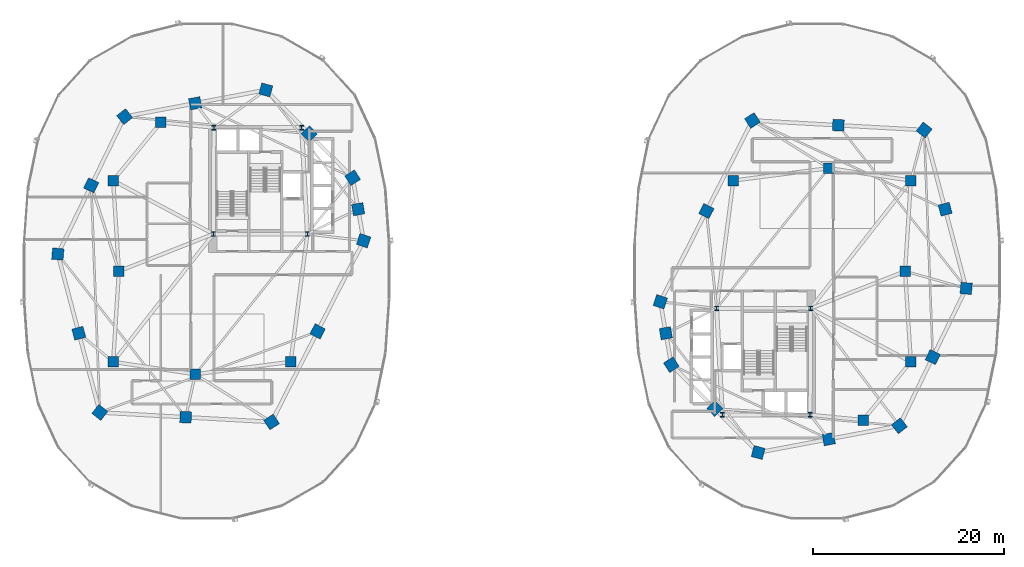
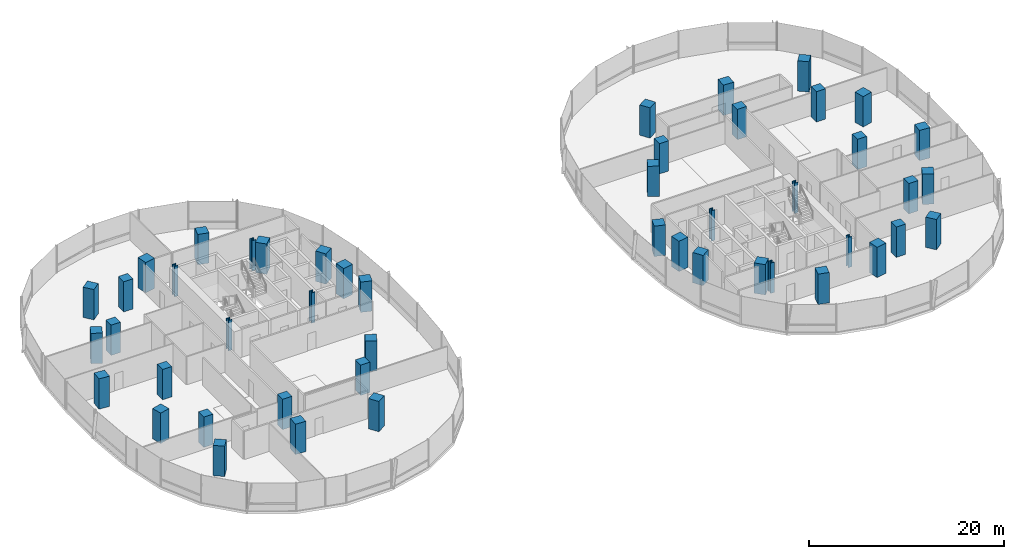
# One storey, part 1 of 21: 48 columns.
"""IFC4 building model written with IfcOpenShell, lengths in metres."""

from ifc_helpers import new_model, si_unit, direction, frame, origin, origin_2d, place, context, subcontext, project, spatial, rectangle, i_section, extrude, material, material_profile, profile_set, type_object, element, save


model = new_model("IFC4")

# Units and contexts
model_context = context("Model", 3, precision=1e-05, world=origin(), true_north=direction((0.0, 1.0)))
body_context = subcontext(model_context, "Body", "Model", "MODEL_VIEW")
ifc_project = project(units=[si_unit("LENGTHUNIT", "METRE"), si_unit("AREAUNIT", "SQUARE_METRE"), si_unit("VOLUMEUNIT", "CUBIC_METRE"), si_unit("PLANEANGLEUNIT", "RADIAN"), si_unit("MASSUNIT", "GRAM", prefix="KILO"), si_unit("THERMODYNAMICTEMPERATUREUNIT", "KELVIN"), si_unit("POWERUNIT", "WATT")], contexts=[model_context])

# Site, building, storey
site_placement = place(None, origin())
site = spatial("IfcSite", under=ifc_project, at=site_placement, CompositionType="ELEMENT")
building_placement = place(site_placement, origin())
building = spatial("IfcBuilding", under=site, at=building_placement, Name="Cundina Bronze Exchange", CompositionType="ELEMENT")
storey_placement = place(building_placement, frame((0.0, 0.0, 46.800048828125)))
storey = spatial("IfcBuildingStorey", under=building, at=storey_placement, Name="L11", CompositionType="ELEMENT", Elevation=46.800048828125)

# Columns
ifc_material_1 = material(Name="Steel ASTM A992 Grade 50", Category="steel")
ifc_material_profile_1 = material_profile(ifc_material_1, i_section(OverallWidth=0.431884765625, OverallDepth=0.498046875, WebThickness=0.0556640625, FlangeThickness=0.0888671875, FilletRadius=0.01806640625, at=origin_2d()), Name="W14X500", Category="steel")
ifc_profile_set_1 = profile_set([ifc_material_profile_1], Name="Steel ASTM A992 Grade 50")
column_type_1 = type_object("IfcColumnType", Name="COL-STL-W14A", PredefinedType="COLUMN", material=ifc_profile_set_1)
for number, where, z_axis, x_axis, name in (
    (1, (-31.300048828125, 3.89990234375, 0.0), (0.0, 0.0, 1.0), (1.0, 0.0, 0.0), "L11 Core Anchor Column W1"),
    (2, (-21.449951171875, 3.89990234375, 0.0), (0.0, 0.0, 1.0), (1.0, 0.0, 0.0), "L11 Core Anchor Column W2"),
    (3, (-22.050048828125, 15.050048828125, 0.0), (0.0, 0.0, 1.0), (1.0, 0.0, 0.0), "L11 Core Anchor Column W3"),
    (4, (-31.25, 15.050048828125, 0.0), (0.0, 0.0, 1.0), (1.0, 0.0, 0.0), "L11 Core Anchor Column W4"),
    (5, (31.300048828125, -3.89990234375, 0.0), (0.0, 0.0, 1.0), (1.0, 0.0, 0.0), "L11 Core Anchor Column E1"),
    (6, (21.449951171875, -3.89990234375, 0.0), (0.0, 0.0, 1.0), (1.0, 0.0, 0.0), "L11 Core Anchor Column E2"),
    (7, (22.050048828125, -15.050048828125, 0.0), (0.0, 0.0, 1.0), (1.0, 0.0, 0.0), "L11 Core Anchor Column E3"),
    (8, (31.25, -15.050048828125, 0.0), (0.0, 0.0, 1.0), (1.0, 0.0, 0.0), "L11 Core Anchor Column E4"),
):
    element("IfcColumn", number, at=place(storey_placement, frame(where, z_axis=z_axis, x_axis=x_axis)), inside=storey, type_object=column_type_1, Name=name, PredefinedType="COLUMN", context=body_context, shape_type="SweptSolid", body=[
        extrude(i_section(OverallWidth=0.431884765625, OverallDepth=0.498046875, WebThickness=0.0556640625, FlangeThickness=0.0888671875, FilletRadius=0.01806640625, at=origin_2d()), origin(), (0.0, 0.0, 1.0), 3.800048828125),
    ])
ifc_material_2 = material(Name="Concrete C60/75", Category="concrete")
ifc_material_profile_2 = material_profile(ifc_material_2, rectangle(XDim=1.199951171875, YDim=1.199951171875, at=origin_2d()), Name="RC1200X1200", Category="concrete")
ifc_profile_set_2 = profile_set([ifc_material_profile_2], Name="Concrete C60/75")
column_type_2 = type_object("IfcColumnType", Name="COL-Z1-1200", PredefinedType="COLUMN", material=ifc_profile_set_2)
for number, where, z_axis, x_axis, name in (
    (9, (-15.550048828125, 3.199951171875, 0.0), (0.0, 0.0, 1.0), (0.315152163383, 0.949041155016, 0.0), "L11 W Perimeter Column 00"),
    (10, (-16.125, 6.5, 0.0), (0.0, 0.0, 1.0), (-0.171585221787, 0.985169280715, 0.0), "L11 W Perimeter Column 01"),
    (11, (-16.699951171875, 9.800048828125, 0.0), (0.0, 0.0, 1.0), (-0.544199833495, 0.838955625301, 0.0), "L11 W Perimeter Column 02"),
    (12, (-21.25, 14.39990234375, 0.0), (0.0, 0.0, 1.0), (-0.703270634186, 0.710922228581, 0.0), "L11 W Perimeter Column 03"),
    (13, (-25.800048828125, 19.0, 0.0), (0.0, 0.0, 1.0), (-0.965970984022, 0.258650455301, 0.0), "L11 W Perimeter Column 04"),
    (14, (-33.199951171875, 17.60009765625, 0.0), (0.0, 0.0, 1.0), (-0.98258037664, -0.185838110843, 0.0), "L11 W Perimeter Column 05"),
    (15, (-40.60009765625, 16.199951171875, 0.0), (0.0, 0.0, 1.0), (-0.785100778485, -0.619368038909, 0.0), "L11 W Perimeter Column 06"),
    (16, (-44.10009765625, 9.0, 0.0), (0.0, 0.0, 1.0), (-0.437115766651, -0.899405251566, 0.0), "L11 W Perimeter Column 07"),
    (17, (-47.60009765625, 1.800048828125, 0.0), (0.0, 0.0, 1.0), (-0.083503921245, -0.996507448611, 0.0), "L11 W Perimeter Column 08"),
    (18, (-45.39990234375, -6.5, 0.0), (0.0, 0.0, 1.0), (0.256289373133, -0.966600102017, 0.0), "L11 W Perimeter Column 09"),
    (19, (-43.199951171875, -14.800048828125, 0.0), (0.0, 0.0, 1.0), (0.786288432137, -0.61785961309, 0.0), "L11 W Perimeter Column 10"),
    (20, (-34.199951171875, -15.300048828125, 0.0), (0.0, 0.0, 1.0), (0.998460188734, -0.055472980025, 0.0), "L11 W Perimeter Column 11"),
    (21, (-25.199951171875, -15.800048828125, 0.0), (0.0, 0.0, 1.0), (0.838099763533, 0.545516989988, 0.0), "L11 W Perimeter Column 12"),
    (22, (-20.375, -6.300048828125, 0.0), (0.0, 0.0, 1.0), (0.452901591366, 0.891560513111, 0.0), "L11 W Perimeter Column 13"),
    (23, (15.550048828125, -3.199951171875, 0.0), (0.0, 0.0, 1.0), (-0.315152163383, -0.949041155016, 0.0), "L11 E Perimeter Column 00"),
    (24, (16.125, -6.5, 0.0), (0.0, 0.0, 1.0), (0.171585221787, -0.985169280715, 0.0), "L11 E Perimeter Column 01"),
    (25, (16.699951171875, -9.800048828125, 0.0), (0.0, 0.0, 1.0), (0.544199833495, -0.838955625301, 0.0), "L11 E Perimeter Column 02"),
    (26, (21.25, -14.39990234375, 0.0), (0.0, 0.0, 1.0), (0.703270634186, -0.710922228581, 0.0), "L11 E Perimeter Column 03"),
    (27, (25.800048828125, -19.0, 0.0), (0.0, 0.0, 1.0), (0.965970984022, -0.258650455301, 0.0), "L11 E Perimeter Column 04"),
    (28, (33.199951171875, -17.60009765625, 0.0), (0.0, 0.0, 1.0), (0.98258037664, 0.185838110843, 0.0), "L11 E Perimeter Column 05"),
    (29, (40.60009765625, -16.199951171875, 0.0), (0.0, 0.0, 1.0), (0.785100778485, 0.619368038909, 0.0), "L11 E Perimeter Column 06"),
    (30, (44.10009765625, -9.0, 0.0), (0.0, 0.0, 1.0), (0.437115766651, 0.899405251566, 0.0), "L11 E Perimeter Column 07"),
    (31, (47.60009765625, -1.800048828125, 0.0), (0.0, 0.0, 1.0), (0.083503921245, 0.996507448611, 0.0), "L11 E Perimeter Column 08"),
    (32, (45.39990234375, 6.5, 0.0), (0.0, 0.0, 1.0), (-0.256289373133, 0.966600102017, 0.0), "L11 E Perimeter Column 09"),
    (33, (43.199951171875, 14.800048828125, 0.0), (0.0, 0.0, 1.0), (-0.786288432137, 0.61785961309, 0.0), "L11 E Perimeter Column 10"),
    (34, (34.199951171875, 15.300048828125, 0.0), (0.0, 0.0, 1.0), (-0.998460188734, 0.055472980025, 0.0), "L11 E Perimeter Column 11"),
    (35, (25.199951171875, 15.800048828125, 0.0), (0.0, 0.0, 1.0), (-0.838099763533, -0.545516989988, 0.0), "L11 E Perimeter Column 12"),
    (36, (20.375, 6.300048828125, 0.0), (0.0, 0.0, 1.0), (-0.452901591366, -0.891560513111, 0.0), "L11 E Perimeter Column 13"),
):
    element("IfcColumn", number, at=place(storey_placement, frame(where, z_axis=z_axis, x_axis=x_axis)), inside=storey, type_object=column_type_2, Name=name, PredefinedType="COLUMN", context=body_context, shape_type="SweptSolid", body=[
        extrude(rectangle(XDim=1.199951171875, YDim=1.199951171875, at=origin_2d()), origin(), (0.0, 0.0, 1.0), 3.800048828125),
    ])
ifc_material_profile_3 = material_profile(ifc_material_2, rectangle(XDim=1.10009765625, YDim=1.10009765625, at=origin_2d()), Name="RC1100X1100", Category="concrete")
ifc_profile_set_3 = profile_set([ifc_material_profile_3], Name="Concrete C60/75")
column_type_3 = type_object("IfcColumnType", Name="COL-Z2-1100", PredefinedType="COLUMN", material=ifc_profile_set_3)
for number, where, z_axis, x_axis, name in (
    (37, (-41.199951171875, 0.0, 0.0), (0.0, 0.0, 1.0), (1.0, 0.0, 0.0), "L11 W Inner Ring Column 1"),
    (38, (-41.800048828125, 9.5, 0.0), (0.0, 0.0, 1.0), (1.0, 0.0, 0.0), "L11 W Inner Ring Column 2"),
    (39, (-36.800048828125, 15.60009765625, 0.0), (0.0, 0.0, 1.0), (1.0, 0.0, 0.0), "L11 W Inner Ring Column 3"),
    (40, (-41.800048828125, -9.5, 0.0), (0.0, 0.0, 1.0), (1.0, 0.0, 0.0), "L11 W Inner Ring Column 4"),
    (41, (-33.199951171875, -10.800048828125, 0.0), (0.0, 0.0, 1.0), (1.0, 0.0, 0.0), "L11 W Inner Ring Column 5"),
    (42, (-23.199951171875, -9.5, 0.0), (0.0, 0.0, 1.0), (1.0, 0.0, 0.0), "L11 W Inner Ring Column 6"),
    (43, (41.199951171875, 0.0, 0.0), (0.0, 0.0, 1.0), (1.0, 0.0, 0.0), "L11 E Inner Ring Column 1"),
    (44, (41.800048828125, -9.5, 0.0), (0.0, 0.0, 1.0), (1.0, 0.0, 0.0), "L11 E Inner Ring Column 2"),
    (45, (36.800048828125, -15.60009765625, 0.0), (0.0, 0.0, 1.0), (1.0, 0.0, 0.0), "L11 E Inner Ring Column 3"),
    (46, (41.800048828125, 9.5, 0.0), (0.0, 0.0, 1.0), (1.0, 0.0, 0.0), "L11 E Inner Ring Column 4"),
    (47, (33.199951171875, 10.800048828125, 0.0), (0.0, 0.0, 1.0), (1.0, 0.0, 0.0), "L11 E Inner Ring Column 5"),
    (48, (23.199951171875, 9.5, 0.0), (0.0, 0.0, 1.0), (1.0, 0.0, 0.0), "L11 E Inner Ring Column 6"),
):
    element("IfcColumn", number, at=place(storey_placement, frame(where, z_axis=z_axis, x_axis=x_axis)), inside=storey, type_object=column_type_3, Name=name, PredefinedType="COLUMN", context=body_context, shape_type="SweptSolid", body=[
        extrude(rectangle(XDim=1.10009765625, YDim=1.10009765625, at=origin_2d()), origin(), (0.0, 0.0, 1.0), 3.800048828125),
    ])

save(model, "model.ifc")
